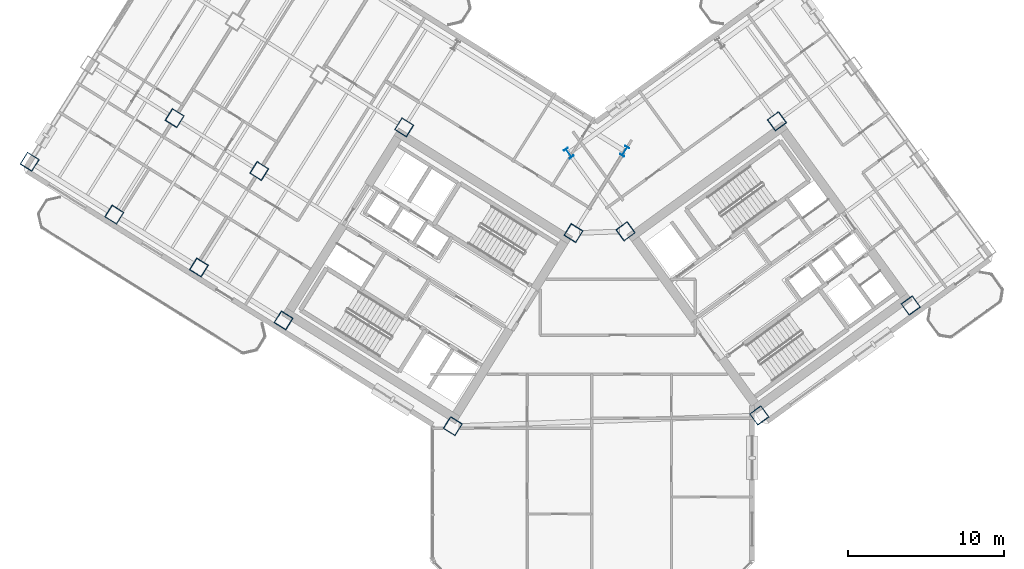
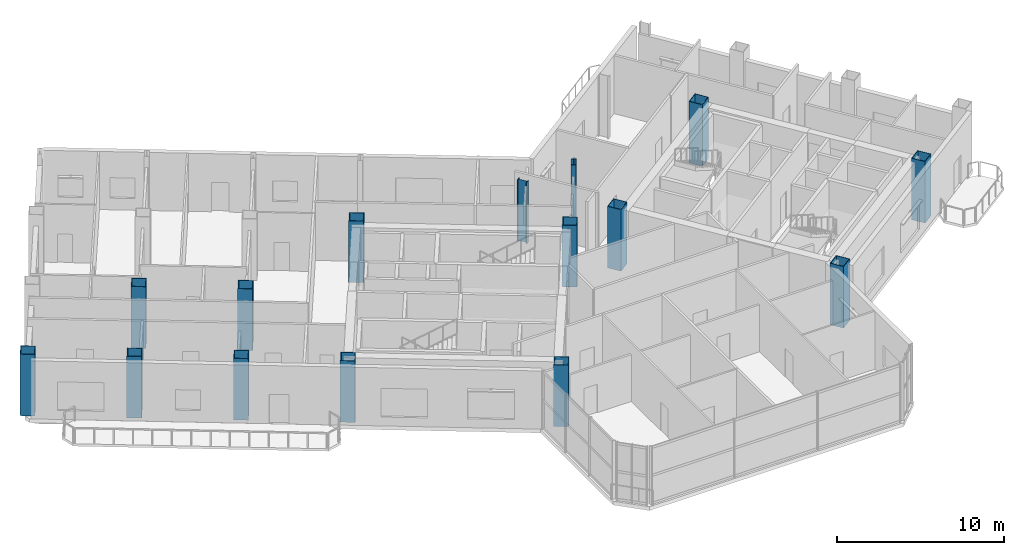
# One storey, part 1 of 21: 15 columns.
"""IFC4 building model written with IfcOpenShell, lengths in metres."""

from ifc_helpers import new_model, si_unit, direction, frame, origin, origin_2d, place, context, subcontext, project, spatial, hollow_rectangle, i_section, extrude, source, transform, mapped, material, material_profile, profile_set, type_object, element, save


model = new_model("IFC4")

# Units and contexts
model_context = context("Model", 3, precision=1e-05, world=origin(), true_north=direction((0.0, 1.0)))
body_context = subcontext(model_context, "Body", "Model", "MODEL_VIEW")
ifc_project = project(units=[si_unit("LENGTHUNIT", "METRE"), si_unit("AREAUNIT", "SQUARE_METRE"), si_unit("VOLUMEUNIT", "CUBIC_METRE"), si_unit("PLANEANGLEUNIT", "RADIAN"), si_unit("MASSUNIT", "GRAM", prefix="KILO")], contexts=[model_context])

# Site, building, storey
site_placement = place(None, origin())
site = spatial("IfcSite", under=ifc_project, at=site_placement, CompositionType="ELEMENT")
building_placement = place(site_placement, origin())
building = spatial("IfcBuilding", under=site, at=building_placement, Name="Tlacorven Tower", CompositionType="ELEMENT")
storey_placement = place(building_placement, frame((0.0, 0.0, 100.800048828125)))
storey = spatial("IfcBuildingStorey", under=building, at=storey_placement, Name="L25", CompositionType="ELEMENT", Elevation=100.800048828125)

# Columns
ifc_material = material(Name="Steel S460M", Category="steel")
ifc_material_profile_1 = material_profile(ifc_material, i_section(OverallWidth=0.300048828125, OverallDepth=0.64990234375, WebThickness=0.01611328125, FlangeThickness=0.031005859375, at=origin_2d()), Name="HEB 650")
ifc_profile_set_1 = profile_set([ifc_material_profile_1], Name="Steel S460M")
column_type_1 = type_object("IfcColumnType", Name="COL-TWR-P1", PredefinedType="COLUMN", material=ifc_profile_set_1)
shared_shape_1 = source(origin(), body_context, "Body", "SweptSolid", [
    extrude(i_section(OverallWidth=0.300048828125, OverallDepth=0.64990234375, WebThickness=0.01611328125, FlangeThickness=0.031005859375, at=origin_2d()), origin(), (0.0, 0.0, 1.0), 4.5),
])
for number, where, z_axis, x_axis, name in (
    (1, (44.068359375, 29.726318359375, 0.0), (0.0, 0.0, 1.0), (-0.848048096156, 0.529919264233, 0.0), "L25 column COL-L25-W1-1"),
    (2, (40.4794921875, 29.60107421875, 0.0), (0.0, 0.0, 1.0), (0.809016994375, 0.587785252292, 0.0), "L25 column COL-L25-E1-4"),
):
    element("IfcColumn", number, at=place(storey_placement, frame(where, z_axis=z_axis, x_axis=x_axis)), inside=storey, type_object=column_type_1, Name=name, PredefinedType="COLUMN", context=body_context, shape_type="MappedRepresentation", body=[
        mapped(shared_shape_1, transform((0.0, 0.0, 0.0), scale=1.0)),
    ])
ifc_material_profile_2 = material_profile(ifc_material, hollow_rectangle(XDim=0.89990234375, YDim=0.89990234375, WallThickness=0.035888671875, at=origin_2d()), Name="BOX 900X900X36")
ifc_profile_set_2 = profile_set([ifc_material_profile_2], Name="Steel S460M")
column_type_2 = type_object("IfcColumnType", Name="COL-TWR-S2", PredefinedType="COLUMN", material=ifc_profile_set_2)
shared_shape_2 = source(origin(), body_context, "Body", "SweptSolid", [
    extrude(hollow_rectangle(XDim=0.89990234375, YDim=0.89990234375, WallThickness=0.035888671875, at=origin_2d()), origin(), (0.0, 0.0, 1.0), 4.5),
])
for number, where, z_axis, x_axis, name in (
    (3, (40.782958984375, 24.468505859375, 0.0), (0.0, 0.0, 1.0), (-0.848048096156, 0.529919264233, 0.0), "L25 column COL-L25-W1-2"),
    (4, (33.046142578125, 12.0869140625, 0.0), (0.0, 0.0, 1.0), (-0.848048096156, 0.529919264233, 0.0), "L25 column COL-L25-W1-4"),
    (5, (29.927978515625, 31.25146484375, 0.0), (0.0, 0.0, 1.0), (-0.848048096156, 0.529919264233, 0.0), "L25 column COL-L25-W3-2"),
    (6, (22.191162109375, 18.869873046875, 0.0), (0.0, 0.0, 1.0), (-0.848048096156, 0.529919264233, 0.0), "L25 column COL-L25-W3-4"),
    (7, (20.632080078125, 28.4521484375, 0.0), (0.0, 0.0, 1.0), (-0.848048096156, 0.529919264233, 0.0), "L25 column COL-L25-W4-3"),
    (8, (16.763671875, 22.26123046875, 0.0), (0.0, 0.0, 1.0), (-0.848048096156, 0.529919264233, 0.0), "L25 column COL-L25-W4-4"),
    (9, (15.20458984375, 31.843505859375, 0.0), (0.0, 0.0, 1.0), (-0.848048096156, 0.529919264233, 0.0), "L25 column COL-L25-W5-3"),
    (10, (11.336181640625, 25.65283203125, 0.0), (0.0, 0.0, 1.0), (-0.848048096156, 0.529919264233, 0.0), "L25 column COL-L25-W5-4"),
    (11, (5.90869140625, 29.044189453125, 0.0), (0.0, 0.0, 1.0), (-0.848048096156, 0.529919264233, 0.0), "L25 column COL-L25-W6-4"),
    (12, (52.705322265625, 12.7734375, 0.0), (0.0, 0.0, 1.0), (0.809016994375, 0.587785252292, 0.0), "L25 column COL-L25-E1-1"),
    (13, (44.123779296875, 24.5849609375, 0.0), (0.0, 0.0, 1.0), (0.809016994375, 0.587785252292, 0.0), "L25 column COL-L25-E1-3"),
    (14, (62.41357421875, 19.826904296875, 0.0), (0.0, 0.0, 1.0), (0.809016994375, 0.587785252292, 0.0), "L25 column COL-L25-E3-1"),
    (15, (53.83203125, 31.638427734375, 0.0), (0.0, 0.0, 1.0), (0.809016994375, 0.587785252292, 0.0), "L25 column COL-L25-E3-3"),
):
    element("IfcColumn", number, at=place(storey_placement, frame(where, z_axis=z_axis, x_axis=x_axis)), inside=storey, type_object=column_type_2, Name=name, PredefinedType="COLUMN", context=body_context, shape_type="MappedRepresentation", body=[
        mapped(shared_shape_2, transform((0.0, 0.0, 0.0), scale=1.0)),
    ])

save(model, "model.ifc")
